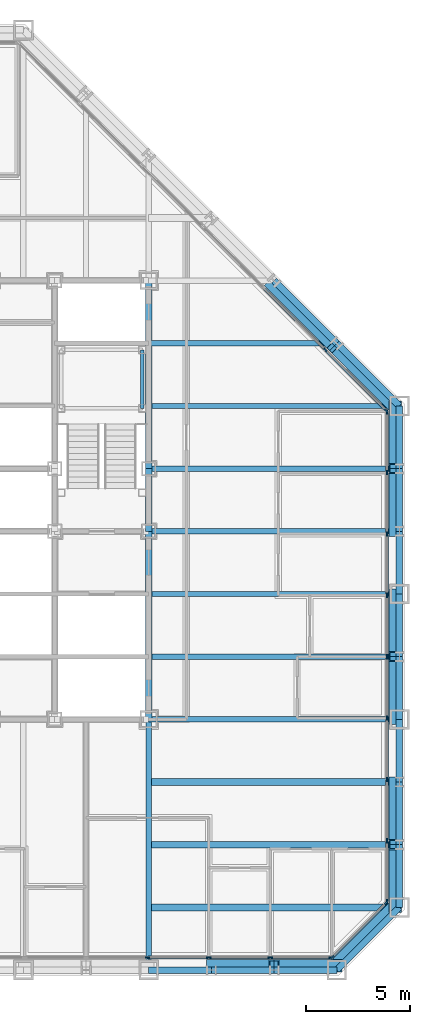
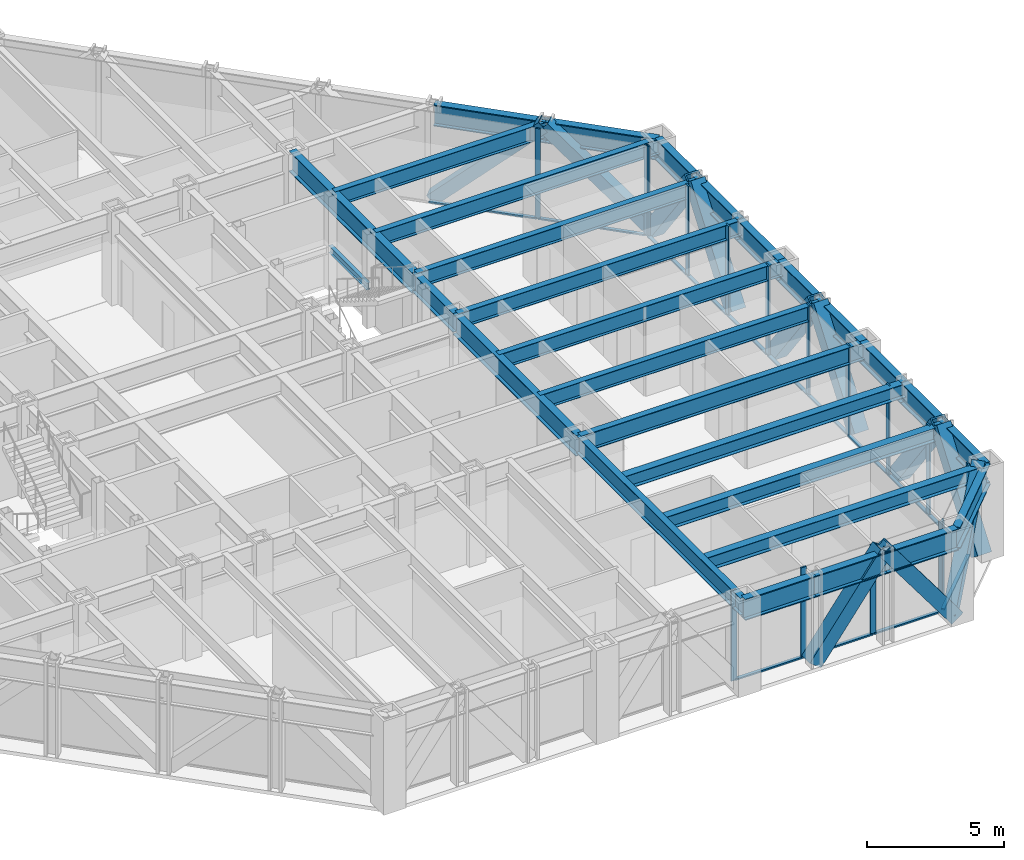
# One storey, part 6 of 16: 42 members, 29 beams, 4 elements without a shape of their own.
"""IFC4 building model written with IfcOpenShell, lengths in metres."""

import ifcopenshell
import ifcopenshell.guid

model = None  # the IFC model being written
_history = None  # IfcOwnerHistory: only IFC2X3 demands one
_inside = {}  # id of a spatial element -> (the spatial element, [elements in it])
_under = {}  # id of a project, library or spatial element -> (it, [spatial elements below it])
_declared = {}  # id of a project -> (the project, [libraries it declares])
_typed = {}  # id of a type object -> (the type object, [elements of that type])
_made_of = {}  # id of a material, layer set ... -> (it, [elements and type objects made of it])


def new_model(schema):
    """Start an empty IFC model of exactly this schema.

    Asked for "IFC4X3", IfcOpenShell would pick the latest addendum, in which some entities
    have other attributes; the version numbers below select the first issue.
    IFC2X3 requires an IfcOwnerHistory on every rooted entity: one is made here for all.
    """
    global model, _history
    if schema == "IFC4X3":
        model = ifcopenshell.file(schema_version=(4, 3, 0, 0))
    else:
        model = ifcopenshell.file(schema=schema)
    _inside.clear()
    _under.clear()
    _declared.clear()
    _typed.clear()
    _made_of.clear()
    _history = None
    if model.schema == "IFC2X3":
        org = make("IfcOrganization", Name="unknown")
        user = make(
            "IfcPersonAndOrganization",
            ThePerson=make("IfcPerson", FamilyName="unknown"),
            TheOrganization=org,
        )
        app = make(
            "IfcApplication",
            ApplicationDeveloper=org,
            Version="unknown",
            ApplicationFullName="unknown",
            ApplicationIdentifier="unknown",
        )
        _history = make(
            "IfcOwnerHistory",
            OwningUser=user,
            OwningApplication=app,
            ChangeAction="ADDED",
            CreationDate=0,
        )
    return model


def make(cls, **values):
    """One entity of the class cls with the attributes given. An attribute that is None is left unset."""
    return model.create_entity(
        cls, **{name: value for name, value in values.items() if value is not None}
    )


def rooted(cls, **values):
    """An entity with a GlobalId (a new one), such as an element, a storey or a relation."""
    return make(cls, GlobalId=ifcopenshell.guid.new(), OwnerHistory=_history, **values)


def si_unit(unit_type, name, prefix=None):
    """IfcSIUnit, for example si_unit("LENGTHUNIT", "METRE", prefix="MILLI")."""
    return make("IfcSIUnit", UnitType=unit_type, Prefix=prefix, Name=name)


def assignment(units):
    """IfcUnitAssignment: the units of a project."""
    return None if units is None else make("IfcUnitAssignment", Units=units)


def point(xyz):
    """IfcCartesianPoint."""
    return None if xyz is None else make("IfcCartesianPoint", Coordinates=xyz)


def direction(xyz):
    """IfcDirection."""
    return None if xyz is None else make("IfcDirection", DirectionRatios=xyz)


def frame(location, z_axis=None, x_axis=None):
    """IfcAxis2Placement3D, a coordinate frame: its origin and axes. An axis left out is left unset."""
    return make(
        "IfcAxis2Placement3D",
        Location=point(location),
        Axis=direction(z_axis),
        RefDirection=direction(x_axis),
    )


def frame_2d(location, x_axis=None):
    """IfcAxis2Placement2D, a coordinate frame in the plane: its origin and x axis."""
    return make(
        "IfcAxis2Placement2D", Location=point(location), RefDirection=direction(x_axis)
    )


def origin():
    """The frame at (0, 0, 0) with its axes left unset."""
    return frame((0.0, 0.0, 0.0))


def origin_2d():
    """The frame at (0, 0) in the plane with its x axis left unset."""
    return frame_2d((0.0, 0.0))


def place(relative_to, where):
    """IfcLocalPlacement: puts the frame where relative to a parent placement (None: the world)."""
    return make(
        "IfcLocalPlacement", PlacementRelTo=relative_to, RelativePlacement=where
    )


def context(
    kind, dimensions, precision=None, world=None, true_north=None, identifier=None
):
    """IfcGeometricRepresentationContext, for example the 3D "Model" context."""
    return make(
        "IfcGeometricRepresentationContext",
        ContextIdentifier=identifier,
        ContextType=kind,
        CoordinateSpaceDimension=dimensions,
        Precision=precision,
        WorldCoordinateSystem=world,
        TrueNorth=true_north,
    )


def subcontext(parent, identifier, kind, view, scale=None):
    """IfcGeometricRepresentationSubContext, for example "Body" below "Model"."""
    return make(
        "IfcGeometricRepresentationSubContext",
        ContextIdentifier=identifier,
        ContextType=kind,
        ParentContext=parent,
        TargetScale=scale,
        TargetView=view,
    )


def project(units=None, contexts=None):
    """IfcProject with its units and contexts."""
    return rooted(
        "IfcProject",
        Name="project",
        RepresentationContexts=contexts,
        UnitsInContext=assignment(units),
    )


def spatial(cls, under=None, at=None, **own):
    """A site, building, storey or space (cls), placed at a placement, below another one or the project."""
    s = rooted(cls, ObjectPlacement=at, **own)
    if under is not None:
        _under.setdefault(under.id(), (under, []))[1].append(s)
    return s


def profile(cls, at=None, kind="AREA", **sizes):
    """A parametric profile (cls). Its sizes go by their IFC names, for example OverallWidth=200.0."""
    return make(cls, ProfileType=kind, Position=at, **sizes)


def rectangle(**sizes):
    """IfcRectangleProfileDef."""
    return profile("IfcRectangleProfileDef", **sizes)


def hollow_rectangle(**sizes):
    """IfcRectangleHollowProfileDef."""
    return profile("IfcRectangleHollowProfileDef", **sizes)


def i_section(**sizes):
    """IfcIShapeProfileDef."""
    return profile("IfcIShapeProfileDef", **sizes)


def extrude(swept, where, along, depth):
    """IfcExtrudedAreaSolid: the profile swept, set in the frame where, extruded along a direction by depth."""
    return make(
        "IfcExtrudedAreaSolid",
        SweptArea=swept,
        Position=where,
        ExtrudedDirection=direction(along),
        Depth=depth,
    )


def shape(context_of_items, identifier, shape_type, items):
    """IfcShapeRepresentation: the items that make up one representation, for example the "Body"."""
    return make(
        "IfcShapeRepresentation",
        ContextOfItems=context_of_items,
        RepresentationIdentifier=identifier,
        RepresentationType=shape_type,
        Items=items,
    )


def material(Name=None, Category=None):
    """IfcMaterial."""
    return make("IfcMaterial", Name=Name, Category=Category)


def layer(
    of_material, thickness, ventilated=None, Name=None, Category=None, Priority=None
):
    """IfcMaterialLayer: one layer of a wall or slab, of a material (None: an air gap)."""
    return make(
        "IfcMaterialLayer",
        Material=of_material,
        LayerThickness=thickness,
        IsVentilated=ventilated,
        Name=Name,
        Category=Category,
        Priority=Priority,
    )


def layer_set(layers, Name=None):
    """IfcMaterialLayerSet."""
    return make("IfcMaterialLayerSet", MaterialLayers=layers, LayerSetName=Name)


def material_profile(
    of_material, cross_section, Name=None, Category=None, Priority=None
):
    """IfcMaterialProfile: a cross section and its material."""
    return make(
        "IfcMaterialProfile",
        Name=Name,
        Material=of_material,
        Profile=cross_section,
        Priority=Priority,
        Category=Category,
    )


def profile_set(profiles, Name=None, composite=None):
    """IfcMaterialProfileSet."""
    return make(
        "IfcMaterialProfileSet",
        Name=Name,
        MaterialProfiles=profiles,
        CompositeProfile=composite,
    )


def made_of(thing, what):
    """Note that an element or type object is made of a material, layer set ...; save() writes the relation."""
    if what is not None:
        _made_of.setdefault(what.id(), (what, []))[1].append(thing)
    return thing


def type_object(cls, material=None, **own):
    """A type object (cls), such as IfcWallType, which elements share."""
    return made_of(rooted(cls, **own), material)


def element(
    cls,
    number,
    at=None,
    inside=None,
    cuts=None,
    type_object=None,
    material=None,
    context=None,
    identifier="Body",
    shape_type=None,
    held_by="IfcProductDefinitionShape",
    body=None,
    shapes=None,
    **own,
):
    """One element of the class cls, such as IfcWall. Its Tag is "e" and its number.

    at: its placement. inside: the storey or other place that contains it. cuts: it is an
    opening in that element (IfcRelVoidsElement). A single representation is given by context,
    identifier, shape_type and body (its items); several are given by shapes. held_by: the class
    of the entity that holds the representations. save() writes the other relations.
    """
    e = rooted(cls, Tag="e%d" % number, ObjectPlacement=at, **own)
    if body is not None:
        shapes = [shape(context, identifier, shape_type, body)]
    if shapes is not None:
        e.Representation = make(held_by, Representations=shapes)
    if inside is not None:
        _inside.setdefault(inside.id(), (inside, []))[1].append(e)
    if cuts is not None:
        rooted(
            "IfcRelVoidsElement", RelatingBuildingElement=cuts, RelatedOpeningElement=e
        )
    if type_object is not None:
        _typed.setdefault(type_object.id(), (type_object, []))[1].append(e)
    return made_of(e, material)


def aggregate(whole, parts):
    """IfcRelAggregates: a whole, such as a stair, and the parts it consists of."""
    return rooted("IfcRelAggregates", RelatingObject=whole, RelatedObjects=parts)


def save(model, path):
    """Write the relations noted so far, then the file.

    IfcRelAggregates (storeys below a building ...), IfcRelContainedInSpatialStructure (elements
    in a storey), IfcRelDefinesByType, IfcRelAssociatesMaterial and IfcRelDeclares: one each for
    every whole, place, type object, material and project.
    """
    for whole, parts in _under.values():
        aggregate(whole, parts)
    for where, things in _inside.values():
        rooted(
            "IfcRelContainedInSpatialStructure",
            RelatedElements=things,
            RelatingStructure=where,
        )
    for kind, things in _typed.values():
        rooted("IfcRelDefinesByType", RelatedObjects=things, RelatingType=kind)
    for what, things in _made_of.values():
        rooted("IfcRelAssociatesMaterial", RelatedObjects=things, RelatingMaterial=what)
    for by, libraries in _declared.values():
        rooted("IfcRelDeclares", RelatingContext=by, RelatedDefinitions=libraries)
    model.write(path)


model = new_model("IFC4")

# Units and contexts
model_context = context("Model", 3, precision=1e-05, world=origin(), true_north=direction((0.0, 1.0)))
body_context = subcontext(model_context, "Body", "Model", "MODEL_VIEW")
ifc_project = project(units=[si_unit("LENGTHUNIT", "METRE"), si_unit("AREAUNIT", "SQUARE_METRE"), si_unit("VOLUMEUNIT", "CUBIC_METRE"), si_unit("PLANEANGLEUNIT", "RADIAN"), si_unit("MASSUNIT", "GRAM", prefix="KILO")], contexts=[model_context])

# Site, building, storey
site_placement = place(None, origin())
site = spatial("IfcSite", under=ifc_project, at=site_placement, CompositionType="ELEMENT")
building_placement = place(site_placement, origin())
building = spatial("IfcBuilding", under=site, at=building_placement, Name="Chuquiago Exchange Tower", CompositionType="ELEMENT")
storey_placement = place(building_placement, frame((0.0, 0.0, 119.39990234375)))
storey = spatial("IfcBuildingStorey", under=building, at=storey_placement, Name="L25", CompositionType="ELEMENT", Elevation=119.39990234375)

# Beams
ifc_material_1 = material(Name="Steel ASTM A992", Category="steel")
ifc_material_profile_1 = material_profile(ifc_material_1, i_section(OverallWidth=0.25390625, OverallDepth=0.683349609375, WebThickness=0.012451171875, FlangeThickness=0.018798828125, at=origin_2d()), Name="W27X94")
ifc_profile_set_1 = profile_set([ifc_material_profile_1], Name="Steel ASTM A992")
beam_type_1 = type_object("IfcBeamType", Name="B1 W27X94", PredefinedType="BEAM", material=ifc_profile_set_1)
for number, where, z_axis, x_axis, name in (
    (1, (33.0, 15.0, 3.698486328125), (1.0, 0.0, 0.0), (0.0, 1.0, 0.0), "FB-L26-infill-33_15-45_15-0"),
    (2, (33.0, 18.0, 3.698486328125), (1.0, 0.0, 0.0), (0.0, 1.0, 0.0), "FB-L26-infill-33_18-45_18-0"),
    (3, (33.0, 21.0, 3.698486328125), (1.0, 0.0, 0.0), (0.0, 1.0, 0.0), "FB-L26-infill-33_21-45_21-0"),
    (4, (33.0, 24.0, 3.698486328125), (1.0, 0.0, 0.0), (0.0, 1.0, 0.0), "FB-L26-infill-33_24-45_24-0"),
    (5, (33.0, 27.0, 3.698486328125), (1.0, 0.0, 0.0), (0.0, 1.0, 0.0), "FB-L26-infill-33_27-45_27-0"),
):
    element("IfcBeam", number, at=place(storey_placement, frame(where, z_axis=z_axis, x_axis=x_axis)), inside=storey, type_object=beam_type_1, Name=name, PredefinedType="BEAM", context=body_context, shape_type="SweptSolid", body=[
        extrude(i_section(OverallWidth=0.25390625, OverallDepth=0.683349609375, WebThickness=0.012451171875, FlangeThickness=0.018798828125, at=origin_2d()), origin(), (0.0, 0.0, 1.0), 12.0),
    ])
beam_1_placement = place(storey_placement, frame((33.0, 30.0, 3.698486328125), z_axis=(1.0, 0.0, 0.0), x_axis=(0.0, 1.0, 0.0)))
element("IfcBeam", 6, at=beam_1_placement, inside=storey, type_object=beam_type_1, Name="FB-L26-infill-33_30-42_30-0", PredefinedType="BEAM", context=body_context, shape_type="SweptSolid", body=[
    extrude(i_section(OverallWidth=0.25390625, OverallDepth=0.683349609375, WebThickness=0.012451171875, FlangeThickness=0.018798828125, at=origin_2d()), origin(), (0.0, 0.0, 1.0), 9.0),
])
ifc_material_2 = material(Name="Steel ASTM A992", Category="steel")
ifc_material_profile_2 = material_profile(ifc_material_2, i_section(OverallWidth=0.307373046875, OverallDepth=0.927001953125, WebThickness=0.01953125, FlangeThickness=0.031982421875, at=origin_2d()), Name="W36X194")
ifc_profile_set_2 = profile_set([ifc_material_profile_2], Name="Steel ASTM A992")
beam_type_2 = type_object("IfcBeamType", Name="B10 W36X194", PredefinedType="BEAM", material=ifc_profile_set_2)
for number, where, z_axis, x_axis, name in (
    (7, (33.0, 12.0, 3.576416015625), (0.0, 1.0, 0.0), (-1.0, 0.0, 0.0), "CB-L26-33_12-33_21"),
    (8, (33.0, 24.0, 3.576416015625), (0.0, 1.0, 0.0), (-1.0, 0.0, 0.0), "CB-L26-33_24-33_33"),
):
    element("IfcBeam", number, at=place(storey_placement, frame(where, z_axis=z_axis, x_axis=x_axis)), inside=storey, type_object=beam_type_2, Name=name, PredefinedType="BEAM", context=body_context, shape_type="SweptSolid", body=[
        extrude(i_section(OverallWidth=0.307373046875, OverallDepth=0.927001953125, WebThickness=0.01953125, FlangeThickness=0.031982421875, at=origin_2d()), origin(), (0.0, 0.0, 1.0), 9.0),
    ])
ifc_material_3 = material(Name="Steel ASTM A992", Category="steel")
ifc_material_profile_3 = material_profile(ifc_material_3, i_section(OverallWidth=0.3251953125, OverallDepth=0.612060546875, WebThickness=0.0126953125, FlangeThickness=0.01904296875, at=origin_2d()), Name="W24X104")
ifc_profile_set_3 = profile_set([ifc_material_profile_3], Name="Steel ASTM A992")
beam_type_3 = type_object("IfcBeamType", Name="B2 W24X104", PredefinedType="BEAM", material=ifc_profile_set_3)
for number, where, z_axis, x_axis, name in (
    (9, (33.0, 3.0, 3.73388671875), (1.0, 0.0, 0.0), (0.0, 1.0, 0.0), "FB-L26-corner-33_3-45_3-0"),
    (10, (33.0, 6.0, 3.73388671875), (1.0, 0.0, 0.0), (0.0, 1.0, 0.0), "FB-L26-corner-33_6-45_6-0"),
    (11, (33.0, 9.0, 3.73388671875), (1.0, 0.0, 0.0), (0.0, 1.0, 0.0), "FB-L26-corner-33_9-45_9-0"),
):
    element("IfcBeam", number, at=place(storey_placement, frame(where, z_axis=z_axis, x_axis=x_axis)), inside=storey, type_object=beam_type_3, Name=name, PredefinedType="BEAM", context=body_context, shape_type="SweptSolid", body=[
        extrude(i_section(OverallWidth=0.3251953125, OverallDepth=0.612060546875, WebThickness=0.0126953125, FlangeThickness=0.01904296875, at=origin_2d()), origin(), (0.0, 0.0, 1.0), 12.0),
    ])
ifc_material_4 = material(Name="Steel ASTM A992", Category="steel")
ifc_material_profile_4 = material_profile(ifc_material_4, i_section(OverallWidth=0.2919921875, OverallDepth=0.8583984375, WebThickness=0.01708984375, FlangeThickness=0.031005859375, at=origin_2d()), Name="W33X169")
ifc_profile_set_4 = profile_set([ifc_material_profile_4], Name="Steel ASTM A992")
beam_type_4 = type_object("IfcBeamType", Name="B3 W33X169", PredefinedType="BEAM", material=ifc_profile_set_4)
beam_2_placement = place(storey_placement, frame((33.0, 21.0, 3.61083984375), z_axis=(0.0, 1.0, 0.0), x_axis=(-1.0, 0.0, 0.0)))
element("IfcBeam", 12, at=beam_2_placement, inside=storey, type_object=beam_type_4, Name="CB-L26-33_21-33_24", PredefinedType="BEAM", context=body_context, shape_type="SweptSolid", body=[
    extrude(i_section(OverallWidth=0.2919921875, OverallDepth=0.8583984375, WebThickness=0.01708984375, FlangeThickness=0.031005859375, at=origin_2d()), origin(), (0.0, 0.0, 1.0), 3.0),
])

# Curtain wall, members
ifc_material_5 = material(Name="Aluminium curtain wall system", Category="aluminium")
ifc_layer_1 = layer(ifc_material_5, 0.22509765625)
ifc_layer_set_1 = layer_set([ifc_layer_1], Name="CW2 office curtain wall")
curtain_wall_type_1 = type_object("IfcCurtainWallType", Name="CW2 office curtain wall", PredefinedType="NOTDEFINED", material=ifc_layer_set_1)
curtain_wall_1_placement = place(storey_placement, origin())
curtain_wall_1 = element("IfcCurtainWall", 13, at=curtain_wall_1_placement, inside=storey, type_object=curtain_wall_type_1, Name="CW2 curtain wall L25", PredefinedType="NOTDEFINED")
ifc_material_6 = material(Name="Aluminium mullion, pale anodised", Category="aluminium")
ifc_material_profile_5 = material_profile(ifc_material_6, rectangle(XDim=0.06494140625, YDim=0.22509765625, at=origin_2d()), Name="AL 65x225")
ifc_profile_set_5 = profile_set([ifc_material_profile_5], Name="Aluminium mullion, pale anodised")
member_type_1 = type_object("IfcMemberType", Name="CW2-M mullion 65x225", PredefinedType="MULLION", material=ifc_profile_set_5)
member_1_placement = place(storey_placement, frame((32.93798828125, 0.60009765625, 0.0), z_axis=(0.0, 0.0, 1.0), x_axis=(0.0, 1.0, 0.0)))
member_1 = element("IfcMember", 14, at=member_1_placement, type_object=member_type_1, Name="CW2 mullion 6", PredefinedType="MULLION", context=body_context, shape_type="SweptSolid", body=[
    extrude(rectangle(XDim=0.06494140625, YDim=0.22509765625, at=origin_2d()), origin(), (0.0, 0.0, 1.0), 4.0400390625),
])
member_2_placement = place(storey_placement, frame((35.875732421875, 0.60009765625, 0.0), z_axis=(0.0, 0.0, 1.0), x_axis=(0.0, 1.0, 0.0)))
member_2 = element("IfcMember", 15, at=member_2_placement, type_object=member_type_1, Name="CW2 mullion 7", PredefinedType="MULLION", context=body_context, shape_type="SweptSolid", body=[
    extrude(rectangle(XDim=0.06494140625, YDim=0.22509765625, at=origin_2d()), origin(), (0.0, 0.0, 1.0), 4.0400390625),
])
member_3_placement = place(storey_placement, frame((38.813720703125, 0.60009765625, 0.0), z_axis=(0.0, 0.0, 1.0), x_axis=(0.0, 1.0, 0.0)))
member_3 = element("IfcMember", 16, at=member_3_placement, type_object=member_type_1, Name="CW2 mullion 8", PredefinedType="MULLION", context=body_context, shape_type="SweptSolid", body=[
    extrude(rectangle(XDim=0.06494140625, YDim=0.22509765625, at=origin_2d()), origin(), (0.0, 0.0, 1.0), 4.0400390625),
])
member_4_placement = place(storey_placement, frame((41.718994140625, 0.60009765625, 0.0), z_axis=(0.0, 0.0, 1.0), x_axis=(0.0, 1.0, 0.0)))
member_4 = element("IfcMember", 17, at=member_4_placement, type_object=member_type_1, Name="CW2 mullion 9", PredefinedType="MULLION", context=body_context, shape_type="SweptSolid", body=[
    extrude(rectangle(XDim=0.06494140625, YDim=0.22509765625, at=origin_2d()), origin(), (0.0, 0.0, 1.0), 4.0400390625),
])

curtain_wall_2_placement = place(storey_placement, origin())
curtain_wall_2 = element("IfcCurtainWall", 18, at=curtain_wall_2_placement, inside=storey, type_object=curtain_wall_type_1, Name="CW2 curtain wall L25", PredefinedType="NOTDEFINED")
member_5_placement = place(storey_placement, frame((44.39990234375, 3.281005859375, 0.0), z_axis=(0.0, 0.0, 1.0), x_axis=(-1.0, 0.0, 0.0)))
member_5 = element("IfcMember", 19, at=member_5_placement, type_object=member_type_1, Name="CW2 mullion 1", PredefinedType="MULLION", context=body_context, shape_type="SweptSolid", body=[
    extrude(rectangle(XDim=0.06494140625, YDim=0.22509765625, at=origin_2d()), origin(), (0.0, 0.0, 1.0), 4.0400390625),
])
member_6_placement = place(storey_placement, frame((44.39990234375, 6.186279296875, 0.0), z_axis=(0.0, 0.0, 1.0), x_axis=(-1.0, 0.0, 0.0)))
member_6 = element("IfcMember", 20, at=member_6_placement, type_object=member_type_1, Name="CW2 mullion 2", PredefinedType="MULLION", context=body_context, shape_type="SweptSolid", body=[
    extrude(rectangle(XDim=0.06494140625, YDim=0.22509765625, at=origin_2d()), origin(), (0.0, 0.0, 1.0), 4.0400390625),
])
member_7_placement = place(storey_placement, frame((44.39990234375, 9.124267578125, 0.0), z_axis=(0.0, 0.0, 1.0), x_axis=(-1.0, 0.0, 0.0)))
member_7 = element("IfcMember", 21, at=member_7_placement, type_object=member_type_1, Name="CW2 mullion 3", PredefinedType="MULLION", context=body_context, shape_type="SweptSolid", body=[
    extrude(rectangle(XDim=0.06494140625, YDim=0.22509765625, at=origin_2d()), origin(), (0.0, 0.0, 1.0), 4.0400390625),
])
member_8_placement = place(storey_placement, frame((44.39990234375, 12.06201171875, 0.0), z_axis=(0.0, 0.0, 1.0), x_axis=(-1.0, 0.0, 0.0)))
member_8 = element("IfcMember", 22, at=member_8_placement, type_object=member_type_1, Name="CW2 mullion 4", PredefinedType="MULLION", context=body_context, shape_type="SweptSolid", body=[
    extrude(rectangle(XDim=0.06494140625, YDim=0.22509765625, at=origin_2d()), origin(), (0.0, 0.0, 1.0), 4.0400390625),
])
member_9_placement = place(storey_placement, frame((44.39990234375, 15.0, 0.0), z_axis=(0.0, 0.0, 1.0), x_axis=(-1.0, 0.0, 0.0)))
member_9 = element("IfcMember", 23, at=member_9_placement, type_object=member_type_1, Name="CW2 mullion 5", PredefinedType="MULLION", context=body_context, shape_type="SweptSolid", body=[
    extrude(rectangle(XDim=0.06494140625, YDim=0.22509765625, at=origin_2d()), origin(), (0.0, 0.0, 1.0), 4.0400390625),
])
member_10_placement = place(storey_placement, frame((44.39990234375, 17.93798828125, 0.0), z_axis=(0.0, 0.0, 1.0), x_axis=(-1.0, 0.0, 0.0)))
member_10 = element("IfcMember", 24, at=member_10_placement, type_object=member_type_1, Name="CW2 mullion 6", PredefinedType="MULLION", context=body_context, shape_type="SweptSolid", body=[
    extrude(rectangle(XDim=0.06494140625, YDim=0.22509765625, at=origin_2d()), origin(), (0.0, 0.0, 1.0), 4.0400390625),
])
member_11_placement = place(storey_placement, frame((44.39990234375, 20.875732421875, 0.0), z_axis=(0.0, 0.0, 1.0), x_axis=(-1.0, 0.0, 0.0)))
member_11 = element("IfcMember", 25, at=member_11_placement, type_object=member_type_1, Name="CW2 mullion 7", PredefinedType="MULLION", context=body_context, shape_type="SweptSolid", body=[
    extrude(rectangle(XDim=0.06494140625, YDim=0.22509765625, at=origin_2d()), origin(), (0.0, 0.0, 1.0), 4.0400390625),
])
member_12_placement = place(storey_placement, frame((44.39990234375, 23.813720703125, 0.0), z_axis=(0.0, 0.0, 1.0), x_axis=(-1.0, 0.0, 0.0)))
member_12 = element("IfcMember", 26, at=member_12_placement, type_object=member_type_1, Name="CW2 mullion 8", PredefinedType="MULLION", context=body_context, shape_type="SweptSolid", body=[
    extrude(rectangle(XDim=0.06494140625, YDim=0.22509765625, at=origin_2d()), origin(), (0.0, 0.0, 1.0), 4.0400390625),
])
member_13_placement = place(storey_placement, frame((44.39990234375, 26.718994140625, 0.0), z_axis=(0.0, 0.0, 1.0), x_axis=(-1.0, 0.0, 0.0)))
member_13 = element("IfcMember", 27, at=member_13_placement, type_object=member_type_1, Name="CW2 mullion 9", PredefinedType="MULLION", context=body_context, shape_type="SweptSolid", body=[
    extrude(rectangle(XDim=0.06494140625, YDim=0.22509765625, at=origin_2d()), origin(), (0.0, 0.0, 1.0), 4.0400390625),
])

# Member
ifc_material_7 = material(Name="Aluminium transom, pale anodised", Category="aluminium")
ifc_material_profile_6 = material_profile(ifc_material_7, rectangle(XDim=0.139892578125, YDim=0.06494140625, at=origin_2d()), Name="AL 140x65")
ifc_profile_set_6 = profile_set([ifc_material_profile_6], Name="Aluminium transom, pale anodised")
member_type_2 = type_object("IfcMemberType", Name="CW2-T transom 65x140", PredefinedType="MULLION", material=ifc_profile_set_6)
member_14_placement = place(storey_placement, frame((32.970458984375, 0.60009765625, 0.03271484375), z_axis=(1.0, 0.0, 0.0), x_axis=(0.0, 1.0, 0.0)))
member_14 = element("IfcMember", 28, at=member_14_placement, type_object=member_type_2, Name="CW2 transom 6.1", PredefinedType="MULLION", context=body_context, shape_type="SweptSolid", body=[
    extrude(rectangle(XDim=0.139892578125, YDim=0.06494140625, at=origin_2d()), origin(), (0.0, 0.0, 1.0), 2.872802734375),
])

member_15_placement = place(storey_placement, frame((35.908203125, 0.60009765625, 0.03271484375), z_axis=(1.0, 0.0, 0.0), x_axis=(0.0, 1.0, 0.0)))
member_15 = element("IfcMember", 29, at=member_15_placement, type_object=member_type_2, Name="CW2 transom 7.1", PredefinedType="MULLION", context=body_context, shape_type="SweptSolid", body=[
    extrude(rectangle(XDim=0.139892578125, YDim=0.06494140625, at=origin_2d()), origin(), (0.0, 0.0, 1.0), 2.872802734375),
])

member_16_placement = place(storey_placement, frame((38.84619140625, 0.60009765625, 0.03271484375), z_axis=(1.0, 0.0, 0.0), x_axis=(0.0, 1.0, 0.0)))
member_16 = element("IfcMember", 30, at=member_16_placement, type_object=member_type_2, Name="CW2 transom 8.1", PredefinedType="MULLION", context=body_context, shape_type="SweptSolid", body=[
    extrude(rectangle(XDim=0.139892578125, YDim=0.06494140625, at=origin_2d()), origin(), (0.0, 0.0, 1.0), 2.84033203125),
])

aggregate(curtain_wall_1, [member_1, member_2, member_3, member_4, member_14, member_15, member_16])

member_17_placement = place(storey_placement, frame((44.39990234375, 3.3134765625, 0.03271484375), z_axis=(0.0, 1.0, 0.0), x_axis=(-1.0, 0.0, 0.0)))
member_17 = element("IfcMember", 31, at=member_17_placement, type_object=member_type_2, Name="CW2 transom 1.1", PredefinedType="MULLION", context=body_context, shape_type="SweptSolid", body=[
    extrude(rectangle(XDim=0.139892578125, YDim=0.06494140625, at=origin_2d()), origin(), (0.0, 0.0, 1.0), 2.84033203125),
])

member_18_placement = place(storey_placement, frame((44.39990234375, 6.218994140625, 0.03271484375), z_axis=(0.0, 1.0, 0.0), x_axis=(-1.0, 0.0, 0.0)))
member_18 = element("IfcMember", 32, at=member_18_placement, type_object=member_type_2, Name="CW2 transom 2.1", PredefinedType="MULLION", context=body_context, shape_type="SweptSolid", body=[
    extrude(rectangle(XDim=0.139892578125, YDim=0.06494140625, at=origin_2d()), origin(), (0.0, 0.0, 1.0), 2.872802734375),
])

member_19_placement = place(storey_placement, frame((44.39990234375, 9.15673828125, 0.03271484375), z_axis=(0.0, 1.0, 0.0), x_axis=(-1.0, 0.0, 0.0)))
member_19 = element("IfcMember", 33, at=member_19_placement, type_object=member_type_2, Name="CW2 transom 3.1", PredefinedType="MULLION", context=body_context, shape_type="SweptSolid", body=[
    extrude(rectangle(XDim=0.139892578125, YDim=0.06494140625, at=origin_2d()), origin(), (0.0, 0.0, 1.0), 2.872802734375),
])

member_20_placement = place(storey_placement, frame((44.39990234375, 12.0947265625, 0.03271484375), z_axis=(0.0, 1.0, 0.0), x_axis=(-1.0, 0.0, 0.0)))
member_20 = element("IfcMember", 34, at=member_20_placement, type_object=member_type_2, Name="CW2 transom 4.1", PredefinedType="MULLION", context=body_context, shape_type="SweptSolid", body=[
    extrude(rectangle(XDim=0.139892578125, YDim=0.06494140625, at=origin_2d()), origin(), (0.0, 0.0, 1.0), 2.872802734375),
])

member_21_placement = place(storey_placement, frame((44.39990234375, 15.032470703125, 0.03271484375), z_axis=(0.0, 1.0, 0.0), x_axis=(-1.0, 0.0, 0.0)))
member_21 = element("IfcMember", 35, at=member_21_placement, type_object=member_type_2, Name="CW2 transom 5.1", PredefinedType="MULLION", context=body_context, shape_type="SweptSolid", body=[
    extrude(rectangle(XDim=0.139892578125, YDim=0.06494140625, at=origin_2d()), origin(), (0.0, 0.0, 1.0), 2.872802734375),
])

member_22_placement = place(storey_placement, frame((44.39990234375, 17.970458984375, 0.03271484375), z_axis=(0.0, 1.0, 0.0), x_axis=(-1.0, 0.0, 0.0)))
member_22 = element("IfcMember", 36, at=member_22_placement, type_object=member_type_2, Name="CW2 transom 6.1", PredefinedType="MULLION", context=body_context, shape_type="SweptSolid", body=[
    extrude(rectangle(XDim=0.139892578125, YDim=0.06494140625, at=origin_2d()), origin(), (0.0, 0.0, 1.0), 2.872802734375),
])

member_23_placement = place(storey_placement, frame((44.39990234375, 20.908203125, 0.03271484375), z_axis=(0.0, 1.0, 0.0), x_axis=(-1.0, 0.0, 0.0)))
member_23 = element("IfcMember", 37, at=member_23_placement, type_object=member_type_2, Name="CW2 transom 7.1", PredefinedType="MULLION", context=body_context, shape_type="SweptSolid", body=[
    extrude(rectangle(XDim=0.139892578125, YDim=0.06494140625, at=origin_2d()), origin(), (0.0, 0.0, 1.0), 2.872802734375),
])

member_24_placement = place(storey_placement, frame((44.39990234375, 23.84619140625, 0.03271484375), z_axis=(0.0, 1.0, 0.0), x_axis=(-1.0, 0.0, 0.0)))
member_24 = element("IfcMember", 38, at=member_24_placement, type_object=member_type_2, Name="CW2 transom 8.1", PredefinedType="MULLION", context=body_context, shape_type="SweptSolid", body=[
    extrude(rectangle(XDim=0.139892578125, YDim=0.06494140625, at=origin_2d()), origin(), (0.0, 0.0, 1.0), 2.84033203125),
])

aggregate(curtain_wall_2, [member_5, member_6, member_7, member_8, member_9, member_10, member_11, member_12, member_13, member_17, member_18, member_19, member_20, member_21, member_22, member_23, member_24])

# Curtain wall, members
ifc_material_8 = material(Name="Aluminium curtain wall system", Category="aluminium")
ifc_layer_2 = layer(ifc_material_8, 0.199951171875)
ifc_layer_set_2 = layer_set([ifc_layer_2], Name="CW3 facet curtain wall")
curtain_wall_type_2 = type_object("IfcCurtainWallType", Name="CW3 facet curtain wall", PredefinedType="NOTDEFINED", material=ifc_layer_set_2)
curtain_wall_3_placement = place(storey_placement, origin())
curtain_wall_3 = element("IfcCurtainWall", 39, at=curtain_wall_3_placement, inside=storey, type_object=curtain_wall_type_2, Name="CW3 curtain wall L25", PredefinedType="NOTDEFINED")
ifc_material_9 = material(Name="Aluminium mullion, pale anodised", Category="aluminium")
ifc_material_profile_7 = material_profile(ifc_material_9, rectangle(XDim=0.06494140625, YDim=0.199951171875, at=origin_2d()), Name="AL 65x200")
ifc_profile_set_7 = profile_set([ifc_material_profile_7], Name="Aluminium mullion, pale anodised")
member_type_3 = type_object("IfcMemberType", Name="CW3-M mullion 65x200", PredefinedType="MULLION", material=ifc_profile_set_7)
member_25_placement = place(storey_placement, frame((41.7744140625, 0.623046875, 0.0), z_axis=(0.0, 0.0, 1.0), x_axis=(-0.707106781187, 0.707106781187, 0.0)))
member_25 = element("IfcMember", 40, at=member_25_placement, type_object=member_type_3, Name="CW3 mullion 1", PredefinedType="MULLION", context=body_context, shape_type="SweptSolid", body=[
    extrude(rectangle(XDim=0.06494140625, YDim=0.199951171875, at=origin_2d()), origin(), (0.0, 0.0, 1.0), 4.0400390625),
])
member_26_placement = place(storey_placement, frame((44.376953125, 3.2255859375, 0.0), z_axis=(0.0, 0.0, 1.0), x_axis=(-0.707106781187, 0.707106781187, 0.0)))
member_26 = element("IfcMember", 41, at=member_26_placement, type_object=member_type_3, Name="CW3 mullion 2", PredefinedType="MULLION", context=body_context, shape_type="SweptSolid", body=[
    extrude(rectangle(XDim=0.06494140625, YDim=0.199951171875, at=origin_2d()), origin(), (0.0, 0.0, 1.0), 4.0400390625),
])

curtain_wall_4_placement = place(storey_placement, origin())
curtain_wall_4 = element("IfcCurtainWall", 42, at=curtain_wall_4_placement, inside=storey, type_object=curtain_wall_type_2, Name="CW3 curtain wall L25", PredefinedType="NOTDEFINED")
member_27_placement = place(storey_placement, frame((44.376953125, 26.7744140625, 0.0), z_axis=(0.0, 0.0, 1.0), x_axis=(-0.707106781187, -0.707106781187, 0.0)))
member_27 = element("IfcMember", 43, at=member_27_placement, type_object=member_type_3, Name="CW3 mullion 1", PredefinedType="MULLION", context=body_context, shape_type="SweptSolid", body=[
    extrude(rectangle(XDim=0.06494140625, YDim=0.199951171875, at=origin_2d()), origin(), (0.0, 0.0, 1.0), 4.0400390625),
])
member_28_placement = place(storey_placement, frame((41.45849609375, 29.69287109375, 0.0), z_axis=(0.0, 0.0, 1.0), x_axis=(-0.707106781187, -0.707106781187, 0.0)))
member_28 = element("IfcMember", 44, at=member_28_placement, type_object=member_type_3, Name="CW3 mullion 2", PredefinedType="MULLION", context=body_context, shape_type="SweptSolid", body=[
    extrude(rectangle(XDim=0.06494140625, YDim=0.199951171875, at=origin_2d()), origin(), (0.0, 0.0, 1.0), 4.0400390625),
])

# Member
ifc_material_10 = material(Name="Aluminium transom, pale anodised", Category="aluminium")
ifc_material_profile_8 = material_profile(ifc_material_10, rectangle(XDim=0.139892578125, YDim=0.06494140625, at=origin_2d()), Name="AL 140x65")
ifc_profile_set_8 = profile_set([ifc_material_profile_8], Name="Aluminium transom, pale anodised")
member_type_4 = type_object("IfcMemberType", Name="CW3-T transom 65x140", PredefinedType="MULLION", material=ifc_profile_set_8)
member_29_placement = place(storey_placement, frame((41.79736328125, 0.64599609375, 0.03271484375), z_axis=(0.707106781187, 0.707106781187, 0.0), x_axis=(-0.707106781187, 0.707106781187, 0.0)))
member_29 = element("IfcMember", 45, at=member_29_placement, type_object=member_type_4, Name="CW3 transom 1.1", PredefinedType="MULLION", context=body_context, shape_type="SweptSolid", body=[
    extrude(rectangle(XDim=0.139892578125, YDim=0.06494140625, at=origin_2d()), origin(), (0.0, 0.0, 1.0), 3.61572265625),
])

aggregate(curtain_wall_3, [member_25, member_26, member_29])

member_30_placement = place(storey_placement, frame((44.35400390625, 26.79736328125, 0.03271484375), z_axis=(-0.707106781187, 0.707106781187, 0.0), x_axis=(-0.707106781187, -0.707106781187, 0.0)))
member_30 = element("IfcMember", 46, at=member_30_placement, type_object=member_type_4, Name="CW3 transom 1.1", PredefinedType="MULLION", context=body_context, shape_type="SweptSolid", body=[
    extrude(rectangle(XDim=0.139892578125, YDim=0.06494140625, at=origin_2d()), origin(), (0.0, 0.0, 1.0), 4.0625),
])

member_31_placement = place(storey_placement, frame((41.435546875, 29.7158203125, 0.03271484375), z_axis=(-0.707106781187, 0.707106781187, 0.0), x_axis=(-0.707106781187, -0.707106781187, 0.0)))
member_31 = element("IfcMember", 47, at=member_31_placement, type_object=member_type_4, Name="CW3 transom 2.1", PredefinedType="MULLION", context=body_context, shape_type="SweptSolid", body=[
    extrude(rectangle(XDim=0.139892578125, YDim=0.06494140625, at=origin_2d()), origin(), (0.0, 0.0, 1.0), 4.094970703125),
])

aggregate(curtain_wall_4, [member_27, member_28, member_30, member_31])

# Beams
ifc_material_11 = material(Name="Steel ASTM A992", Category="steel")
ifc_material_profile_9 = material_profile(ifc_material_11, i_section(OverallWidth=0.2666015625, OverallDepth=0.76953125, WebThickness=0.015625, FlangeThickness=0.025390625, at=origin_2d()), Name="W30X132")
ifc_profile_set_9 = profile_set([ifc_material_profile_9], Name="Steel ASTM A992")
beam_type_5 = type_object("IfcBeamType", Name="G1 W30X132", PredefinedType="BEAM", material=ifc_profile_set_9)
for number, where, z_axis, x_axis, name in (
    (48, (33.0, 12.0, 3.6552734375), (0.0, -1.0, 0.0), (1.0, 0.0, 0.0), "FB-L26-girder-33_12-33_-0-0"),
    (49, (33.0, 12.0, 3.6552734375), (1.0, 0.0, 0.0), (0.0, 1.0, 0.0), "FB-L26-girder-33_12-45_12-0"),
):
    element("IfcBeam", number, at=place(storey_placement, frame(where, z_axis=z_axis, x_axis=x_axis)), inside=storey, type_object=beam_type_5, Name=name, PredefinedType="BEAM", context=body_context, shape_type="SweptSolid", body=[
        extrude(i_section(OverallWidth=0.2666015625, OverallDepth=0.76953125, WebThickness=0.015625, FlangeThickness=0.025390625, at=origin_2d()), origin(), (0.0, 0.0, 1.0), 12.0),
    ])

# Members
ifc_material_12 = material(Name="Steel ASTM A500 Grade C", Category="steel")
ifc_material_profile_10 = material_profile(ifc_material_12, hollow_rectangle(XDim=0.508056640625, YDim=0.508056640625, WallThickness=0.017822265625, at=origin_2d()), Name="HSS20X20X3/4")
ifc_profile_set_10 = profile_set([ifc_material_profile_10], Name="Steel ASTM A500 Grade C")
member_type_5 = type_object("IfcMemberType", Name="LB1 HSS20X20X3/4", PredefinedType="BRACE", material=ifc_profile_set_10)
for number, where, z_axis, x_axis, name in (
    (50, (41.822509765625, 0.177490234375, 0.0), (0.512077265487, 0.512077265487, 0.689604051861), (-0.707106781187, 0.707106781187, 0.0), "LB-L25-42_0-45_3"),
    (51, (44.822509765625, 26.822509765625, 0.0), (-0.512077265487, 0.512077265487, 0.689604051861), (-0.707106781187, -0.707106781187, 0.0), "LB-L25-45_27-42_30"),
    (52, (38.822509765625, 32.822509765625, 0.0), (0.512077265487, -0.512077265487, 0.689604051861), (0.707106781187, 0.707106781187, 0.0), "LB-L25-42_30-39_33"),
):
    element("IfcMember", number, at=place(storey_placement, frame(where, z_axis=z_axis, x_axis=x_axis)), inside=storey, type_object=member_type_5, Name=name, PredefinedType="BRACE", context=body_context, shape_type="SweptSolid", body=[
        extrude(hollow_rectangle(XDim=0.508056640625, YDim=0.508056640625, WallThickness=0.017822265625, at=origin_2d()), origin(), (0.0, 0.0, 1.0), 5.8583984375),
    ])

# Beam
ifc_material_13 = material(Name="Steel ASTM A992", Category="steel")
ifc_material_profile_11 = material_profile(ifc_material_13, i_section(OverallWidth=0.164794921875, OverallDepth=0.309814453125, WebThickness=0.005859375, FlangeThickness=0.009765625, at=origin_2d()), Name="W12X26")
ifc_profile_set_11 = profile_set([ifc_material_profile_11], Name="Steel ASTM A992")
beam_type_6 = type_object("IfcBeamType", Name="LS1 W12X26", PredefinedType="BEAM", material=ifc_profile_set_11)
beam_3_placement = place(storey_placement, frame((32.68994140625, 26.889892578125, 1.7451171875), z_axis=(0.0, 1.0, 0.0), x_axis=(-1.0, 0.0, 0.0)))
element("IfcBeam", 53, at=beam_3_placement, inside=storey, type_object=beam_type_6, Name="Stair ST2 L25 landing 1 stringer", PredefinedType="BEAM", context=body_context, shape_type="SweptSolid", body=[
    extrude(i_section(OverallWidth=0.164794921875, OverallDepth=0.309814453125, WebThickness=0.005859375, FlangeThickness=0.009765625, at=origin_2d()), origin(), (0.0, 0.0, 1.0), 2.800048828125),
])

# Members
ifc_material_14 = material(Name="Steel ASTM A572 Grade 50", Category="steel")
ifc_material_profile_12 = material_profile(ifc_material_14, hollow_rectangle(XDim=0.60009765625, YDim=0.60009765625, WallThickness=0.06005859375, at=origin_2d()), Name="BOX600X600X60")
ifc_profile_set_12 = profile_set([ifc_material_profile_12], Name="Steel ASTM A572 Grade 50")
member_type_6 = type_object("IfcMemberType", Name="MB2 BOX600X600X60", PredefinedType="BRACE", material=ifc_profile_set_12)
for number, where, z_axis, x_axis, name in (
    (54, (36.0, 0.205078125, 0.0), (0.596173923302, 0.0, 0.802855312728), (0.0, 1.0, 0.0), "Mega diagonal L25 S face"),
    (55, (42.0, 0.205078125, 0.0), (-0.596173923302, 0.0, 0.802855312728), (0.0, -1.0, 0.0), "Mega diagonal L25 S face"),
    (56, (44.794921875, 3.0, 0.0), (0.0, 0.596173923302, 0.802855312728), (-1.0, 0.0, 0.0), "Mega diagonal L25 E face"),
    (57, (44.794921875, 9.0, 0.0), (0.0, -0.596173923302, 0.802855312728), (1.0, 0.0, 0.0), "Mega diagonal L25 E face"),
    (58, (44.794921875, 12.0, 0.0), (0.0, 0.596173923302, 0.802855312728), (-1.0, 0.0, 0.0), "Mega diagonal L25 E face"),
    (59, (44.794921875, 18.0, 0.0), (0.0, -0.596173923302, 0.802855312728), (1.0, 0.0, 0.0), "Mega diagonal L25 E face"),
    (60, (44.794921875, 21.0, 0.0), (0.0, 0.596173923302, 0.802855312728), (-1.0, 0.0, 0.0), "Mega diagonal L25 E face"),
    (61, (44.794921875, 27.0, 0.0), (0.0, -0.596173923302, 0.802855312728), (1.0, 0.0, 0.0), "Mega diagonal L25 E face"),
):
    element("IfcMember", number, at=place(storey_placement, frame(where, z_axis=z_axis, x_axis=x_axis)), inside=storey, type_object=member_type_6, Name=name, PredefinedType="BRACE", context=body_context, shape_type="SweptSolid", body=[
        extrude(hollow_rectangle(XDim=0.60009765625, YDim=0.60009765625, WallThickness=0.06005859375, at=origin_2d()), origin(), (0.0, 0.0, 1.0), 5.031982421875),
    ])

# Beams
ifc_material_15 = material(Name="Steel ASTM A992", Category="steel")
ifc_material_profile_13 = material_profile(ifc_material_15, i_section(OverallWidth=0.309814453125, OverallDepth=0.949951171875, WebThickness=0.0244140625, FlangeThickness=0.0439453125, at=origin_2d()), Name="W36X256")
ifc_profile_set_13 = profile_set([ifc_material_profile_13], Name="Steel ASTM A992")
beam_type_7 = type_object("IfcBeamType", Name="SP2 W36X256", PredefinedType="SPANDREL", material=ifc_profile_set_13)
for number, where, z_axis, x_axis, name in (
    (62, (33.0, 0.0, 3.565185546875), (1.0, 0.0, 0.0), (0.0, 1.0, 0.0), "SPB-L26-33_0-36_0"),
    (63, (36.0, 0.0, 3.565185546875), (1.0, 0.0, 0.0), (0.0, 1.0, 0.0), "SPB-L26-36_0-39_0"),
    (64, (39.0, 0.0, 3.565185546875), (1.0, 0.0, 0.0), (0.0, 1.0, 0.0), "SPB-L26-39_0-42_0"),
):
    element("IfcBeam", number, at=place(storey_placement, frame(where, z_axis=z_axis, x_axis=x_axis)), inside=storey, type_object=beam_type_7, Name=name, PredefinedType="SPANDREL", context=body_context, shape_type="SweptSolid", body=[
        extrude(i_section(OverallWidth=0.309814453125, OverallDepth=0.949951171875, WebThickness=0.0244140625, FlangeThickness=0.0439453125, at=origin_2d()), origin(), (0.0, 0.0, 1.0), 3.0),
    ])
beam_4_placement = place(storey_placement, frame((42.0, 0.0, 3.565185546875), z_axis=(0.707106781187, 0.707106781187, 0.0), x_axis=(-0.707106781187, 0.707106781187, 0.0)))
element("IfcBeam", 65, at=beam_4_placement, inside=storey, type_object=beam_type_7, Name="SPB-L26-42_0-45_3", PredefinedType="SPANDREL", context=body_context, shape_type="SweptSolid", body=[
    extrude(i_section(OverallWidth=0.309814453125, OverallDepth=0.949951171875, WebThickness=0.0244140625, FlangeThickness=0.0439453125, at=origin_2d()), origin(), (0.0, 0.0, 1.0), 4.24267578125),
])
for number, where, z_axis, x_axis, name in (
    (66, (45.0, 3.0, 3.565185546875), (0.0, 1.0, 0.0), (-1.0, 0.0, 0.0), "SPB-L26-45_3-45_6"),
    (67, (45.0, 6.0, 3.565185546875), (0.0, 1.0, 0.0), (-1.0, 0.0, 0.0), "SPB-L26-45_6-45_9"),
    (68, (45.0, 9.0, 3.565185546875), (0.0, 1.0, 0.0), (-1.0, 0.0, 0.0), "SPB-L26-45_9-45_12"),
    (69, (45.0, 12.0, 3.565185546875), (0.0, 1.0, 0.0), (-1.0, 0.0, 0.0), "SPB-L26-45_12-45_15"),
    (70, (45.0, 15.0, 3.565185546875), (0.0, 1.0, 0.0), (-1.0, 0.0, 0.0), "SPB-L26-45_15-45_18"),
    (71, (45.0, 18.0, 3.565185546875), (0.0, 1.0, 0.0), (-1.0, 0.0, 0.0), "SPB-L26-45_18-45_21"),
    (72, (45.0, 21.0, 3.565185546875), (0.0, 1.0, 0.0), (-1.0, 0.0, 0.0), "SPB-L26-45_21-45_24"),
    (73, (45.0, 24.0, 3.565185546875), (0.0, 1.0, 0.0), (-1.0, 0.0, 0.0), "SPB-L26-45_24-45_27"),
):
    element("IfcBeam", number, at=place(storey_placement, frame(where, z_axis=z_axis, x_axis=x_axis)), inside=storey, type_object=beam_type_7, Name=name, PredefinedType="SPANDREL", context=body_context, shape_type="SweptSolid", body=[
        extrude(i_section(OverallWidth=0.309814453125, OverallDepth=0.949951171875, WebThickness=0.0244140625, FlangeThickness=0.0439453125, at=origin_2d()), origin(), (0.0, 0.0, 1.0), 3.0),
    ])
for number, where, z_axis, x_axis, name in (
    (74, (45.0, 27.0, 3.565185546875), (-0.707106781187, 0.707106781187, 0.0), (-0.707106781187, -0.707106781187, 0.0), "SPB-L26-45_27-42_30"),
    (75, (42.0, 30.0, 3.565185546875), (-0.707106781187, 0.707106781187, 0.0), (-0.707106781187, -0.707106781187, 0.0), "SPB-L26-42_30-39_33"),
):
    element("IfcBeam", number, at=place(storey_placement, frame(where, z_axis=z_axis, x_axis=x_axis)), inside=storey, type_object=beam_type_7, Name=name, PredefinedType="SPANDREL", context=body_context, shape_type="SweptSolid", body=[
        extrude(i_section(OverallWidth=0.309814453125, OverallDepth=0.949951171875, WebThickness=0.0244140625, FlangeThickness=0.0439453125, at=origin_2d()), origin(), (0.0, 0.0, 1.0), 4.24267578125),
    ])

save(model, "model.ifc")
